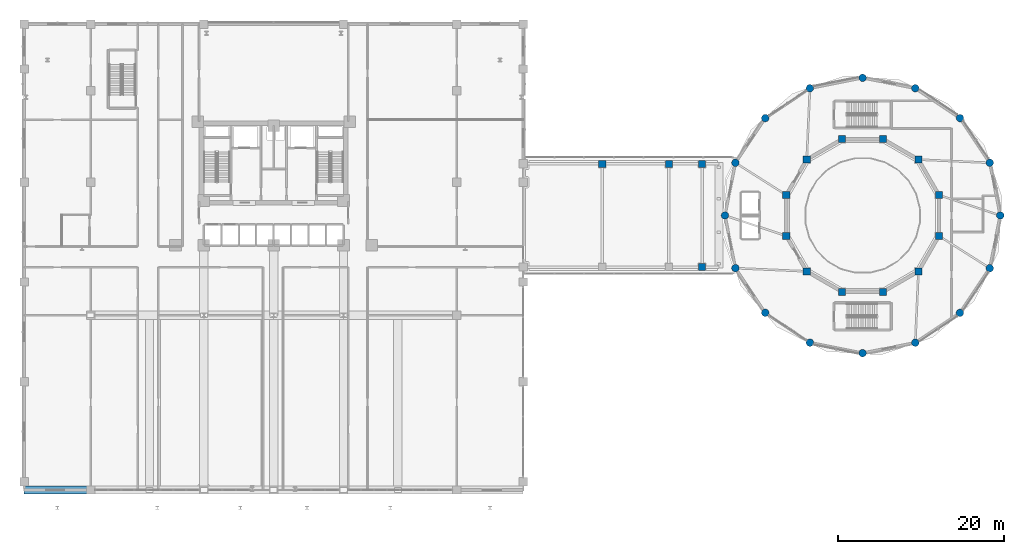
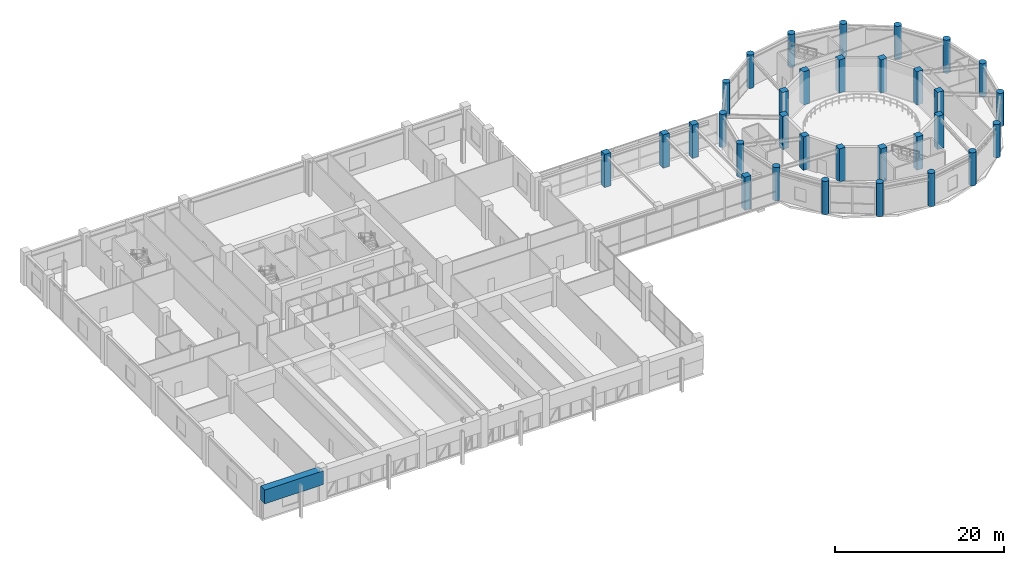
# One storey, part 4 of 44: 32 columns, 1 beam.
"""IFC4 building model written with IfcOpenShell, lengths in metres."""

from ifc_helpers import new_model, si_unit, derived_unit, direction, frame, origin, origin_2d, place, context, subcontext, project, spatial, rectangle, circle, extrude, source, transform, mapped, material, material_profile, profile_set, type_object, element, save


model = new_model("IFC4")

# Units and contexts
model_context = context("Model", 3, precision=1e-05, world=origin(), true_north=direction((0.0, 1.0)))
body_context = subcontext(model_context, "Body", "Model", "MODEL_VIEW")
ifc_project = project(units=[si_unit("LENGTHUNIT", "METRE"), si_unit("AREAUNIT", "SQUARE_METRE"), si_unit("VOLUMEUNIT", "CUBIC_METRE"), si_unit("PLANEANGLEUNIT", "RADIAN"), si_unit("MASSUNIT", "GRAM", prefix="KILO"), derived_unit("THERMALTRANSMITTANCEUNIT", [(si_unit("POWERUNIT", "WATT"), 1), (si_unit("LENGTHUNIT", "METRE"), -2), (si_unit("THERMODYNAMICTEMPERATUREUNIT", "KELVIN"), -1)])], contexts=[model_context])

# Site, building, storey
site_placement = place(None, origin())
site = spatial("IfcSite", under=ifc_project, at=site_placement, CompositionType="ELEMENT")
building_placement = place(site_placement, origin())
building = spatial("IfcBuilding", under=site, at=building_placement, Name="Korsvarv Bourse and Concert Hall", CompositionType="ELEMENT")
storey_placement = place(building_placement, frame((0.0, 0.0, 9.60009765625)))
storey = spatial("IfcBuildingStorey", under=building, at=storey_placement, Name="L02", CompositionType="ELEMENT", Elevation=9.60009765625)

# Columns
ifc_material_1 = material(Name="Concrete C50/60", Category="concrete")
ifc_material_profile_1 = material_profile(ifc_material_1, rectangle(XDim=0.85009765625, YDim=0.85009765625, at=origin_2d()), Name="RC 850x850")
ifc_profile_set_1 = profile_set([ifc_material_profile_1], Name="Concrete C50/60")
column_type_1 = type_object("IfcColumnType", Name="COL-RC850", PredefinedType="COLUMN", material=ifc_profile_set_1)
shared_shape_1 = source(origin(), body_context, "Body", "SweptSolid", [
    extrude(rectangle(XDim=0.85009765625, YDim=0.85009765625, at=origin_2d()), origin(), (0.0, 0.0, 1.0), 4.7998046875),
])
for number, where, z_axis, x_axis, name in (
    (1, (75.5, 42.199951171875, 0.0), (0.0, 0.0, 1.0), (1.0, 0.0, 0.0), "L02 column C-04"),
    (2, (83.5, 42.199951171875, 0.0), (0.0, 0.0, 1.0), (1.0, 0.0, 0.0), "L02 column C-04"),
    (3, (87.5, 29.800048828125, 0.0), (0.0, 0.0, 1.0), (1.0, 0.0, 0.0), "L02 column C-04"),
    (4, (87.5, 42.199951171875, 0.0), (0.0, 0.0, 1.0), (1.0, 0.0, 0.0), "L02 column C-04"),
    (5, (115.976318359375, 38.458740234375, 0.0), (0.0, 0.0, 1.0), (1.0, 0.0, 0.0), "L02 column C-04"),
    (6, (113.517578125, 42.717529296875, 0.0), (0.0, 0.0, 1.0), (1.0, 0.0, 0.0), "L02 column C-04"),
    (7, (109.2587890625, 45.17626953125, 0.0), (0.0, 0.0, 1.0), (1.0, 0.0, 0.0), "L02 column C-04"),
    (8, (104.34130859375, 45.17626953125, 0.0), (0.0, 0.0, 1.0), (1.0, 0.0, 0.0), "L02 column C-04"),
    (9, (100.08251953125, 42.717529296875, 0.0), (0.0, 0.0, 1.0), (1.0, 0.0, 0.0), "L02 column C-04"),
    (10, (97.623779296875, 38.458740234375, 0.0), (0.0, 0.0, 1.0), (1.0, 0.0, 0.0), "L02 column C-04"),
    (11, (97.623779296875, 33.541259765625, 0.0), (0.0, 0.0, 1.0), (1.0, 0.0, 0.0), "L02 column C-04"),
    (12, (100.08251953125, 29.282470703125, 0.0), (0.0, 0.0, 1.0), (1.0, 0.0, 0.0), "L02 column C-04"),
    (13, (104.34130859375, 26.82373046875, 0.0), (0.0, 0.0, 1.0), (1.0, 0.0, 0.0), "L02 column C-04"),
    (14, (109.2587890625, 26.82373046875, 0.0), (0.0, 0.0, 1.0), (1.0, 0.0, 0.0), "L02 column C-04"),
    (15, (113.517578125, 29.282470703125, 0.0), (0.0, 0.0, 1.0), (1.0, 0.0, 0.0), "L02 column C-04"),
    (16, (115.976318359375, 33.541259765625, 0.0), (0.0, 0.0, 1.0), (1.0, 0.0, 0.0), "L02 column C-04"),
):
    element("IfcColumn", number, at=place(storey_placement, frame(where, z_axis=z_axis, x_axis=x_axis)), inside=storey, type_object=column_type_1, Name=name, PredefinedType="COLUMN", context=body_context, shape_type="MappedRepresentation", body=[
        mapped(shared_shape_1, transform((0.0, 0.0, 0.0), scale=1.0)),
    ])
ifc_material_profile_2 = material_profile(ifc_material_1, circle(Radius=0.449951171875, at=origin_2d()), Name="RC-D900")
ifc_profile_set_2 = profile_set([ifc_material_profile_2], Name="Concrete C50/60")
column_type_2 = type_object("IfcColumnType", Name="COL-RCD900", PredefinedType="COLUMN", material=ifc_profile_set_2)
shared_shape_2 = source(origin(), body_context, "Body", "SweptSolid", [
    extrude(circle(Radius=0.449951171875, at=origin_2d()), origin(), (0.0, 0.0, 1.0), 4.7998046875),
])
for number, where, z_axis, x_axis, name in (
    (17, (123.35009765625, 36.0, 0.0), (0.0, 0.0, 1.0), (1.0, 0.0, 0.0), "L02 column C-06"),
    (18, (122.090087890625, 42.33349609375, 0.0), (0.0, 0.0, 1.0), (1.0, 0.0, 0.0), "L02 column C-06"),
    (19, (118.502685546875, 47.70263671875, 0.0), (0.0, 0.0, 1.0), (1.0, 0.0, 0.0), "L02 column C-06"),
    (20, (113.13330078125, 51.290283203125, 0.0), (0.0, 0.0, 1.0), (1.0, 0.0, 0.0), "L02 column C-06"),
    (21, (106.800048828125, 52.550048828125, 0.0), (0.0, 0.0, 1.0), (1.0, 0.0, 0.0), "L02 column C-06"),
    (22, (100.466552734375, 51.290283203125, 0.0), (0.0, 0.0, 1.0), (1.0, 0.0, 0.0), "L02 column C-06"),
    (23, (95.097412109375, 47.70263671875, 0.0), (0.0, 0.0, 1.0), (1.0, 0.0, 0.0), "L02 column C-06"),
    (24, (91.509765625, 42.33349609375, 0.0), (0.0, 0.0, 1.0), (1.0, 0.0, 0.0), "L02 column C-06"),
    (25, (90.25, 36.0, 0.0), (0.0, 0.0, 1.0), (1.0, 0.0, 0.0), "L02 column C-06"),
    (26, (91.509765625, 29.66650390625, 0.0), (0.0, 0.0, 1.0), (1.0, 0.0, 0.0), "L02 column C-06"),
    (27, (95.097412109375, 24.29736328125, 0.0), (0.0, 0.0, 1.0), (1.0, 0.0, 0.0), "L02 column C-06"),
    (28, (100.466552734375, 20.709716796875, 0.0), (0.0, 0.0, 1.0), (1.0, 0.0, 0.0), "L02 column C-06"),
    (29, (106.800048828125, 19.449951171875, 0.0), (0.0, 0.0, 1.0), (1.0, 0.0, 0.0), "L02 column C-06"),
    (30, (113.13330078125, 20.709716796875, 0.0), (0.0, 0.0, 1.0), (1.0, 0.0, 0.0), "L02 column C-06"),
    (31, (118.502685546875, 24.29736328125, 0.0), (0.0, 0.0, 1.0), (1.0, 0.0, 0.0), "L02 column C-06"),
    (32, (122.090087890625, 29.66650390625, 0.0), (0.0, 0.0, 1.0), (1.0, 0.0, 0.0), "L02 column C-06"),
):
    element("IfcColumn", number, at=place(storey_placement, frame(where, z_axis=z_axis, x_axis=x_axis)), inside=storey, type_object=column_type_2, Name=name, PredefinedType="COLUMN", context=body_context, shape_type="MappedRepresentation", body=[
        mapped(shared_shape_2, transform((0.0, 0.0, 0.0), scale=1.0)),
    ])

# Beam
ifc_material_2 = material(Name="Concrete C60/75", Category="concrete")
ifc_material_profile_3 = material_profile(ifc_material_2, rectangle(XDim=1.0, YDim=2.0, at=origin_2d()), Name="RC-BM 1000x2000")
ifc_profile_set_3 = profile_set([ifc_material_profile_3], Name="Concrete C60/75")
beam_type = type_object("IfcBeamType", Name="BM-TR1", PredefinedType="BEAM", material=ifc_profile_set_3)
shared_shape_3 = source(origin(), body_context, "Body", "SweptSolid", [
    extrude(rectangle(XDim=1.0, YDim=2.0, at=origin_2d()), origin(), (0.0, 0.0, 1.0), 8.0),
])
beam_placement = place(storey_placement, frame((6.0, 3.0, 3.349853515625), z_axis=(1.0, 0.0, 0.0), x_axis=(0.0, 1.0, 0.0)))
element("IfcBeam", 33, at=beam_placement, inside=storey, type_object=beam_type, Name="L02 beam B-TR1", PredefinedType="BEAM", context=body_context, shape_type="MappedRepresentation", body=[
    mapped(shared_shape_3, transform((0.0, 0.0, 0.0), scale=1.0)),
])

save(model, "model.ifc")
